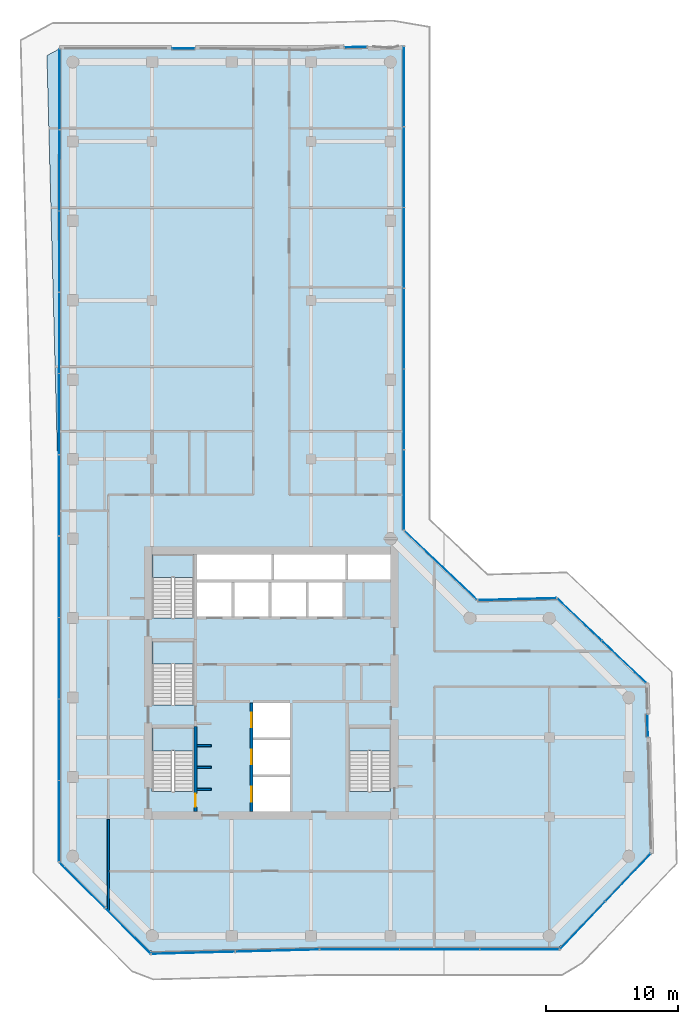
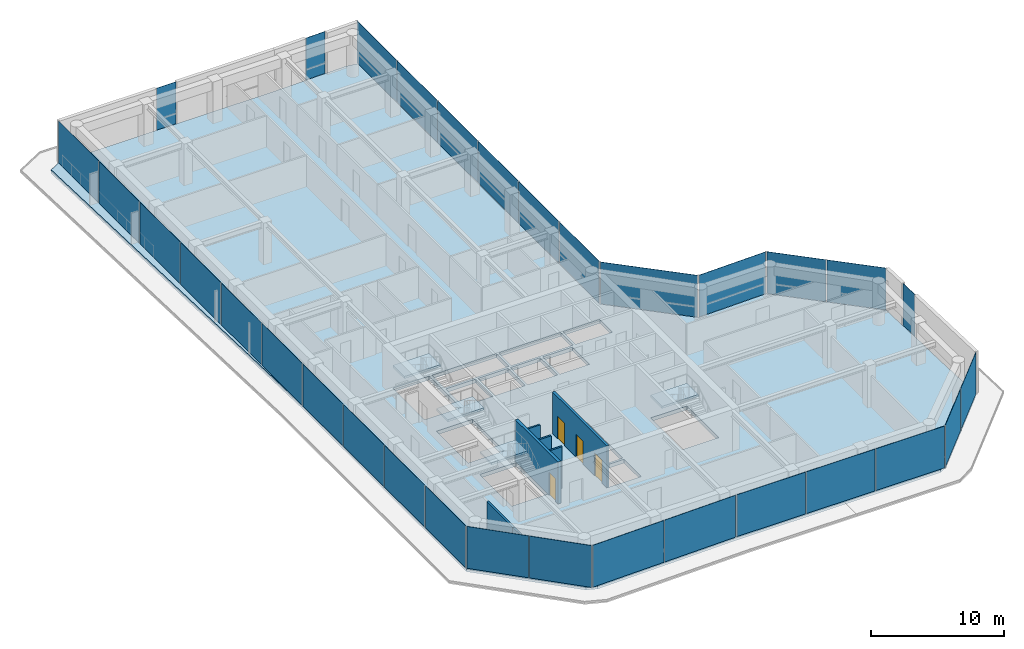
# One storey, part 15 of 20: 32 plates, 7 walls, 5 slabs, 4 doors, 4 openings, 17 elements without a shape of their own.
"""IFC4 building model written with IfcOpenShell, lengths in metres."""

from ifc_helpers import new_model, si_unit, direction, frame, frame_2d, origin, origin_2d, place, context, subcontext, project, spatial, polyline, rectangle, outline, extrude, material, layer, layer_set, type_object, element, fill, aggregate, save


model = new_model("IFC4")

# Units and contexts
model_context = context("Model", 3, precision=1e-05, world=origin(), true_north=direction((0.0, 1.0)))
body_context = subcontext(model_context, "Body", "Model", "MODEL_VIEW")
ifc_project = project(units=[si_unit("LENGTHUNIT", "METRE"), si_unit("AREAUNIT", "SQUARE_METRE"), si_unit("VOLUMEUNIT", "CUBIC_METRE"), si_unit("PLANEANGLEUNIT", "RADIAN"), si_unit("MASSUNIT", "GRAM", prefix="KILO")], contexts=[model_context])

# Site, building, storey
site_placement = place(None, origin())
site = spatial("IfcSite", under=ifc_project, at=site_placement, CompositionType="ELEMENT")
building_placement = place(site_placement, origin())
building = spatial("IfcBuilding", under=site, at=building_placement, Name="Welwitschia Terrace Campus", CompositionType="ELEMENT")
storey_placement = place(building_placement, frame((0.0, 0.0, 176.0)))
storey = spatial("IfcBuildingStorey", under=building, at=storey_placement, Name="L39", CompositionType="ELEMENT", Elevation=176.0)

# Curtain wall, plates
ifc_material_1 = material(Name="Bronze anodised aluminium", Category="aluminium")
ifc_layer_1 = layer(ifc_material_1, 0.1201171875)
ifc_layer_set_1 = layer_set([ifc_layer_1], Name="Bronze anodised aluminium")
curtain_wall_type = type_object("IfcCurtainWallType", Name="Curtain wall CW2 tower 6000", PredefinedType="NOTDEFINED", material=ifc_layer_set_1)
curtain_wall_1_placement = place(storey_placement, origin())
curtain_wall_1 = element("IfcCurtainWall", 1, at=curtain_wall_1_placement, inside=storey, type_object=curtain_wall_type, Name="CW L39.0.0", PredefinedType="NOTDEFINED")
ifc_material_2 = material(Name="Tinted bronze-grey glass", Category="glass")
ifc_layer_2 = layer(ifc_material_2, 0.028076171875)
ifc_layer_set_2 = layer_set([ifc_layer_2], Name="Tinted bronze-grey glass")
plate_type = type_object("IfcPlateType", Name="Glass panel 28 tinted", PredefinedType="CURTAIN_PANEL", material=ifc_layer_set_2)
plate_1_placement = place(storey_placement, frame((-1.030029296875, 23.104248046875, 0.0), z_axis=(0.0, 0.0, 1.0), x_axis=(0.0, -1.0, 0.0)))
plate_1 = element("IfcPlate", 2, at=plate_1_placement, type_object=plate_type, Name="Panel L39.0.0.0", PredefinedType="CURTAIN_PANEL", context=body_context, shape_type="SweptSolid", body=[
    extrude(rectangle(XDim=6.06591796875, YDim=0.028076171875, at=origin_2d()), origin(), (0.0, 0.0, 1.0), 3.85009765625),
])
plate_2_placement = place(storey_placement, frame((-1.030029296875, 16.96337890625, 0.0), z_axis=(0.0, 0.0, 1.0), x_axis=(0.0, -1.0, 0.0)))
plate_2 = element("IfcPlate", 3, at=plate_2_placement, type_object=plate_type, Name="Panel L39.0.0.1", PredefinedType="CURTAIN_PANEL", context=body_context, shape_type="SweptSolid", body=[
    extrude(rectangle(XDim=6.095947265625, YDim=0.028076171875, at=origin_2d()), origin(), (0.0, 0.0, 1.0), 3.85009765625),
])
plate_3_placement = place(storey_placement, frame((-1.030029296875, 10.807373046875, 0.0), z_axis=(0.0, 0.0, 1.0), x_axis=(0.0, -1.0, 0.0)))
plate_3 = element("IfcPlate", 4, at=plate_3_placement, type_object=plate_type, Name="Panel L39.0.0.2", PredefinedType="CURTAIN_PANEL", context=body_context, shape_type="SweptSolid", body=[
    extrude(rectangle(XDim=6.095947265625, YDim=0.028076171875, at=origin_2d()), origin(), (0.0, 0.0, 1.0), 3.85009765625),
])
plate_4_placement = place(storey_placement, frame((-1.030029296875, 4.666259765625, 0.0), z_axis=(0.0, 0.0, 1.0), x_axis=(0.0, -1.0, 0.0)))
plate_4 = element("IfcPlate", 5, at=plate_4_placement, type_object=plate_type, Name="Panel L39.0.0.3", PredefinedType="CURTAIN_PANEL", context=body_context, shape_type="SweptSolid", body=[
    extrude(rectangle(XDim=6.06591796875, YDim=0.028076171875, at=origin_2d()), origin(), (0.0, 0.0, 1.0), 3.85009765625),
])
aggregate(curtain_wall_1, [plate_1, plate_2, plate_3, plate_4])

curtain_wall_2_placement = place(storey_placement, origin())
curtain_wall_2 = element("IfcCurtainWall", 6, at=curtain_wall_2_placement, inside=storey, type_object=curtain_wall_type, Name="CW L39.1.0", PredefinedType="NOTDEFINED")
plate_5_placement = place(storey_placement, frame((0.714599609375, -0.17138671875, 0.0), z_axis=(0.0, 0.0, 1.0), x_axis=(0.707106781187, -0.707106781187, 0.0)))
plate_5 = element("IfcPlate", 7, at=plate_5_placement, type_object=plate_type, Name="Panel L39.1.0.0", PredefinedType="CURTAIN_PANEL", context=body_context, shape_type="SweptSolid", body=[
    extrude(rectangle(XDim=4.814697265625, YDim=0.028076171875, at=origin_2d()), origin(), (0.0, 0.0, 1.0), 3.85009765625),
])
plate_6_placement = place(storey_placement, frame((4.16162109375, -3.618408203125, 0.0), z_axis=(0.0, 0.0, 1.0), x_axis=(0.707106781187, -0.707106781187, 0.0)))
plate_6 = element("IfcPlate", 8, at=plate_6_placement, type_object=plate_type, Name="Panel L39.1.0.1", PredefinedType="CURTAIN_PANEL", context=body_context, shape_type="SweptSolid", body=[
    extrude(rectangle(XDim=4.814697265625, YDim=0.028076171875, at=origin_2d()), origin(), (0.0, 0.0, 1.0), 3.85009765625),
])
aggregate(curtain_wall_2, [plate_5, plate_6])

curtain_wall_3_placement = place(storey_placement, origin())
curtain_wall_3 = element("IfcCurtainWall", 9, at=curtain_wall_3_placement, inside=storey, type_object=curtain_wall_type, Name="CW L39.2.0", PredefinedType="NOTDEFINED")
plate_7_placement = place(storey_placement, frame((9.101318359375, -5.279296875, 0.0), z_axis=(0.0, 0.0, 1.0), x_axis=(0.999657324976, 0.026176948308, 0.0)))
plate_7 = element("IfcPlate", 10, at=plate_7_placement, type_object=plate_type, Name="Panel L39.2.0.0", PredefinedType="CURTAIN_PANEL", context=body_context, shape_type="SweptSolid", body=[
    extrude(rectangle(XDim=6.27197265625, YDim=0.028076171875, at=origin_2d()), origin(), (0.0, 0.0, 1.0), 3.85009765625),
])
plate_8_placement = place(storey_placement, frame((15.43115234375, -5.11376953125, 0.0), z_axis=(0.0, 0.0, 1.0), x_axis=(0.999657324976, 0.026176948308, 0.0)))
plate_8 = element("IfcPlate", 11, at=plate_8_placement, type_object=plate_type, Name="Panel L39.2.0.1", PredefinedType="CURTAIN_PANEL", context=body_context, shape_type="SweptSolid", body=[
    extrude(rectangle(XDim=6.27197265625, YDim=0.028076171875, at=origin_2d()), origin(), (0.0, 0.0, 1.0), 3.85009765625),
])
aggregate(curtain_wall_3, [plate_7, plate_8])

curtain_wall_4_placement = place(storey_placement, origin())
curtain_wall_4 = element("IfcCurtainWall", 12, at=curtain_wall_4_placement, inside=storey, type_object=curtain_wall_type, Name="CW L39.3.0", PredefinedType="NOTDEFINED")
plate_9_placement = place(storey_placement, frame((21.667236328125, -5.030029296875, 0.0), z_axis=(0.0, 0.0, 1.0), x_axis=(1.0, 0.0, 0.0)))
plate_9 = element("IfcPlate", 13, at=plate_9_placement, type_object=plate_type, Name="Panel L39.3.0.0", PredefinedType="CURTAIN_PANEL", context=body_context, shape_type="SweptSolid", body=[
    extrude(rectangle(XDim=5.9619140625, YDim=0.028076171875, at=origin_2d()), origin(), (0.0, 0.0, 1.0), 3.85009765625),
])
plate_10_placement = place(storey_placement, frame((27.7041015625, -5.030029296875, 0.0), z_axis=(0.0, 0.0, 1.0), x_axis=(1.0, 0.0, 0.0)))
plate_10 = element("IfcPlate", 14, at=plate_10_placement, type_object=plate_type, Name="Panel L39.3.0.1", PredefinedType="CURTAIN_PANEL", context=body_context, shape_type="SweptSolid", body=[
    extrude(rectangle(XDim=5.991943359375, YDim=0.028076171875, at=origin_2d()), origin(), (0.0, 0.0, 1.0), 3.85009765625),
])
plate_11_placement = place(storey_placement, frame((33.74072265625, -5.030029296875, 0.0), z_axis=(0.0, 0.0, 1.0), x_axis=(1.0, 0.0, 0.0)))
plate_11 = element("IfcPlate", 15, at=plate_11_placement, type_object=plate_type, Name="Panel L39.3.0.2", PredefinedType="CURTAIN_PANEL", context=body_context, shape_type="SweptSolid", body=[
    extrude(rectangle(XDim=5.9619140625, YDim=0.028076171875, at=origin_2d()), origin(), (0.0, 0.0, 1.0), 3.85009765625),
])
aggregate(curtain_wall_4, [plate_9, plate_10, plate_11])

curtain_wall_5_placement = place(storey_placement, origin())
curtain_wall_5 = element("IfcCurtainWall", 16, at=curtain_wall_5_placement, inside=storey, type_object=curtain_wall_type, Name="CW L39.4.0", PredefinedType="NOTDEFINED")
plate_12_placement = place(storey_placement, frame((38.514892578125, -3.203857421875, 0.0), z_axis=(0.0, 0.0, 1.0), x_axis=(0.688354575694, 0.725374371012, 0.0)))
plate_12 = element("IfcPlate", 17, at=plate_12_placement, type_object=plate_type, Name="Panel L39.4.0.0", PredefinedType="CURTAIN_PANEL", context=body_context, shape_type="SweptSolid", body=[
    extrude(rectangle(XDim=4.915283203125, YDim=0.028076171875, at=origin_2d()), origin(), (0.0, 0.0, 1.0), 3.85009765625),
])
plate_13_placement = place(storey_placement, frame((41.939697265625, 0.4052734375, 0.0), z_axis=(0.0, 0.0, 1.0), x_axis=(0.688354575694, 0.725374371012, 0.0)))
plate_13 = element("IfcPlate", 18, at=plate_13_placement, type_object=plate_type, Name="Panel L39.4.0.1", PredefinedType="CURTAIN_PANEL", context=body_context, shape_type="SweptSolid", body=[
    extrude(rectangle(XDim=4.915283203125, YDim=0.028076171875, at=origin_2d()), origin(), (0.0, 0.0, 1.0), 3.85009765625),
])
aggregate(curtain_wall_5, [plate_12, plate_13])

# Curtain wall, plate
curtain_wall_6_placement = place(storey_placement, origin())
curtain_wall_6 = element("IfcCurtainWall", 19, at=curtain_wall_6_placement, inside=storey, type_object=curtain_wall_type, Name="CW L39.5.S0", PredefinedType="NOTDEFINED")
plate_14_placement = place(storey_placement, frame((43.42041015625, 11.8681640625, 0.0), z_axis=(0.0, 0.0, 1.0), x_axis=(-0.026176948308, 0.999657324976, 0.0)))
plate_14 = element("IfcPlate", 20, at=plate_14_placement, type_object=plate_type, Name="Panel L39.5.S0.0", PredefinedType="CURTAIN_PANEL", context=body_context, shape_type="SweptSolid", body=[
    extrude(rectangle(XDim=1.679931640625, YDim=0.028076171875, at=origin_2d()), origin(), (0.0, 0.0, 1.0), 3.85009765625),
])
aggregate(curtain_wall_6, [plate_14])

# Curtain wall, plates
curtain_wall_7_placement = place(storey_placement, origin())
curtain_wall_7 = element("IfcCurtainWall", 21, at=curtain_wall_7_placement, inside=storey, type_object=curtain_wall_type, Name="CW L39.6.0", PredefinedType="NOTDEFINED")
plate_15_placement = place(storey_placement, frame((41.6318359375, 16.69775390625, 0.0), z_axis=(0.0, 0.0, 1.0), x_axis=(-0.725374371012, 0.688354575694, 0.0)))
plate_15 = element("IfcPlate", 22, at=plate_15_placement, type_object=plate_type, Name="Panel L39.6.0.0", PredefinedType="CURTAIN_PANEL", context=body_context, shape_type="SweptSolid", body=[
    extrude(rectangle(XDim=4.579345703125, YDim=0.028076171875, at=origin_2d()), origin(), (0.0, 0.0, 1.0), 3.85009765625),
])
plate_16_placement = place(storey_placement, frame((38.2666015625, 19.89111328125, 0.0), z_axis=(0.0, 0.0, 1.0), x_axis=(-0.725374371012, 0.688354575694, 0.0)))
plate_16 = element("IfcPlate", 23, at=plate_16_placement, type_object=plate_type, Name="Panel L39.6.0.1", PredefinedType="CURTAIN_PANEL", context=body_context, shape_type="SweptSolid", body=[
    extrude(rectangle(XDim=4.579345703125, YDim=0.028076171875, at=origin_2d()), origin(), (0.0, 0.0, 1.0), 3.85009765625),
])
aggregate(curtain_wall_7, [plate_15, plate_16])

# Curtain wall, plate
curtain_wall_8_placement = place(storey_placement, origin())
curtain_wall_8 = element("IfcCurtainWall", 24, at=curtain_wall_8_placement, inside=storey, type_object=curtain_wall_type, Name="CW L39.7.0", PredefinedType="NOTDEFINED")
plate_17_placement = place(storey_placement, frame((33.563232421875, 21.43017578125, 0.0), z_axis=(0.0, 0.0, 1.0), x_axis=(-0.999657324976, -0.026176948308, 0.0)))
plate_17 = element("IfcPlate", 25, at=plate_17_placement, type_object=plate_type, Name="Panel L39.7.0.0", PredefinedType="CURTAIN_PANEL", context=body_context, shape_type="SweptSolid", body=[
    extrude(rectangle(XDim=5.8798828125, YDim=0.028076171875, at=origin_2d()), origin(), (0.0, 0.0, 1.0), 3.85009765625),
])
aggregate(curtain_wall_8, [plate_17])

curtain_wall_9_placement = place(storey_placement, origin())
curtain_wall_9 = element("IfcCurtainWall", 26, at=curtain_wall_9_placement, inside=storey, type_object=curtain_wall_type, Name="CW L39.8.0", PredefinedType="NOTDEFINED")
plate_18_placement = place(storey_placement, frame((27.797119140625, 23.9775390625, 0.0), z_axis=(0.0, 0.0, 1.0), x_axis=(-0.725374371012, 0.688354575694, 0.0)))
plate_18 = element("IfcPlate", 27, at=plate_18_placement, type_object=plate_type, Name="Panel L39.8.0.0", PredefinedType="CURTAIN_PANEL", context=body_context, shape_type="SweptSolid", body=[
    extrude(rectangle(XDim=7.509521484375, YDim=0.028076171875, at=origin_2d()), origin(), (0.0, 0.0, 1.0), 3.85009765625),
])
aggregate(curtain_wall_9, [plate_18])

# Curtain wall, plates
curtain_wall_10_placement = place(storey_placement, origin())
curtain_wall_10 = element("IfcCurtainWall", 28, at=curtain_wall_10_placement, inside=storey, type_object=curtain_wall_type, Name="CW L39.9.0", PredefinedType="NOTDEFINED")
plate_19_placement = place(storey_placement, frame((25.030029296875, 29.669921875, 0.0), z_axis=(0.0, 0.0, 1.0), x_axis=(0.0, 1.0, 0.0)))
plate_19 = element("IfcPlate", 29, at=plate_19_placement, type_object=plate_type, Name="Panel L39.9.0.0", PredefinedType="CURTAIN_PANEL", context=body_context, shape_type="SweptSolid", body=[
    extrude(rectangle(XDim=6.012939453125, YDim=0.028076171875, at=origin_2d()), origin(), (0.0, 0.0, 1.0), 3.85009765625),
])
plate_20_placement = place(storey_placement, frame((25.030029296875, 35.7578125, 0.0), z_axis=(0.0, 0.0, 1.0), x_axis=(0.0, 1.0, 0.0)))
plate_20 = element("IfcPlate", 30, at=plate_20_placement, type_object=plate_type, Name="Panel L39.9.0.1", PredefinedType="CURTAIN_PANEL", context=body_context, shape_type="SweptSolid", body=[
    extrude(rectangle(XDim=6.04296875, YDim=0.028076171875, at=origin_2d()), origin(), (0.0, 0.0, 1.0), 3.85009765625),
])
plate_21_placement = place(storey_placement, frame((25.030029296875, 41.86083984375, 0.0), z_axis=(0.0, 0.0, 1.0), x_axis=(0.0, 1.0, 0.0)))
plate_21 = element("IfcPlate", 31, at=plate_21_placement, type_object=plate_type, Name="Panel L39.9.0.2", PredefinedType="CURTAIN_PANEL", context=body_context, shape_type="SweptSolid", body=[
    extrude(rectangle(XDim=6.04296875, YDim=0.028076171875, at=origin_2d()), origin(), (0.0, 0.0, 1.0), 3.85009765625),
])
plate_22_placement = place(storey_placement, frame((25.030029296875, 47.963623046875, 0.0), z_axis=(0.0, 0.0, 1.0), x_axis=(0.0, 1.0, 0.0)))
plate_22 = element("IfcPlate", 32, at=plate_22_placement, type_object=plate_type, Name="Panel L39.9.0.3", PredefinedType="CURTAIN_PANEL", context=body_context, shape_type="SweptSolid", body=[
    extrude(rectangle(XDim=6.04296875, YDim=0.028076171875, at=origin_2d()), origin(), (0.0, 0.0, 1.0), 3.85009765625),
])
plate_23_placement = place(storey_placement, frame((25.030029296875, 54.066650390625, 0.0), z_axis=(0.0, 0.0, 1.0), x_axis=(0.0, 1.0, 0.0)))
plate_23 = element("IfcPlate", 33, at=plate_23_placement, type_object=plate_type, Name="Panel L39.9.0.4", PredefinedType="CURTAIN_PANEL", context=body_context, shape_type="SweptSolid", body=[
    extrude(rectangle(XDim=6.04296875, YDim=0.028076171875, at=origin_2d()), origin(), (0.0, 0.0, 1.0), 3.85009765625),
])
plate_24_placement = place(storey_placement, frame((25.030029296875, 60.154541015625, 0.0), z_axis=(0.0, 0.0, 1.0), x_axis=(0.0, 1.0, 0.0)))
plate_24 = element("IfcPlate", 34, at=plate_24_placement, type_object=plate_type, Name="Panel L39.9.0.5", PredefinedType="CURTAIN_PANEL", context=body_context, shape_type="SweptSolid", body=[
    extrude(rectangle(XDim=6.012939453125, YDim=0.028076171875, at=origin_2d()), origin(), (0.0, 0.0, 1.0), 3.85009765625),
])
aggregate(curtain_wall_10, [plate_19, plate_20, plate_21, plate_22, plate_23, plate_24])

# Curtain wall, plate
curtain_wall_11_placement = place(storey_placement, origin())
curtain_wall_11 = element("IfcCurtainWall", 35, at=curtain_wall_11_placement, inside=storey, type_object=curtain_wall_type, Name="CW L39.10.S0", PredefinedType="NOTDEFINED")
plate_25_placement = place(storey_placement, frame((21.382568359375, 63.12548828125, 0.0), z_axis=(0.0, 0.0, 1.0), x_axis=(-0.999657324976, -0.026176948308, 0.0)))
plate_25 = element("IfcPlate", 36, at=plate_25_placement, type_object=plate_type, Name="Panel L39.10.S0.0", PredefinedType="CURTAIN_PANEL", context=body_context, shape_type="SweptSolid", body=[
    extrude(rectangle(XDim=1.679931640625, YDim=0.028076171875, at=origin_2d()), origin(), (0.0, 0.0, 1.0), 3.85009765625),
])
aggregate(curtain_wall_11, [plate_25])

curtain_wall_12_placement = place(storey_placement, origin())
curtain_wall_12 = element("IfcCurtainWall", 37, at=curtain_wall_12_placement, inside=storey, type_object=curtain_wall_type, Name="CW L39.11.S0", PredefinedType="NOTDEFINED")
plate_26_placement = place(storey_placement, frame((8.36376953125, 63.030029296875, 0.0), z_axis=(0.0, 0.0, 1.0), x_axis=(-1.0, 0.0, 0.0)))
plate_26 = element("IfcPlate", 38, at=plate_26_placement, type_object=plate_type, Name="Panel L39.11.S0.0", PredefinedType="CURTAIN_PANEL", context=body_context, shape_type="SweptSolid", body=[
    extrude(rectangle(XDim=1.679931640625, YDim=0.028076171875, at=origin_2d()), origin(), (0.0, 0.0, 1.0), 3.85009765625),
])
aggregate(curtain_wall_12, [plate_26])

# Curtain wall, plates
curtain_wall_13_placement = place(storey_placement, origin())
curtain_wall_13 = element("IfcCurtainWall", 39, at=curtain_wall_13_placement, inside=storey, type_object=curtain_wall_type, Name="CW L39.12.0", PredefinedType="NOTDEFINED")
plate_27_placement = place(storey_placement, frame((-1.009521484375, 59.945556640625, 0.0), z_axis=(0.0, 0.0, 1.0), x_axis=(-0.000607788744, -0.999999815296, 0.0)))
plate_27 = element("IfcPlate", 40, at=plate_27_placement, type_object=plate_type, Name="Panel L39.12.0.0", PredefinedType="CURTAIN_PANEL", context=body_context, shape_type="SweptSolid", body=[
    extrude(rectangle(XDim=6.048828125, YDim=0.028076171875, at=origin_2d()), origin(), (0.0, 0.0, 1.0), 3.85009765625),
])
plate_28_placement = place(storey_placement, frame((-1.01318359375, 53.82177734375, 0.0), z_axis=(0.0, 0.0, 1.0), x_axis=(-0.000607788744, -0.999999815296, 0.0)))
plate_28 = element("IfcPlate", 41, at=plate_28_placement, type_object=plate_type, Name="Panel L39.12.0.1", PredefinedType="CURTAIN_PANEL", context=body_context, shape_type="SweptSolid", body=[
    extrude(rectangle(XDim=6.078857421875, YDim=0.028076171875, at=origin_2d()), origin(), (0.0, 0.0, 1.0), 3.85009765625),
])
plate_29_placement = place(storey_placement, frame((-1.016845703125, 47.68310546875, 0.0), z_axis=(0.0, 0.0, 1.0), x_axis=(-0.000607788744, -0.999999815296, 0.0)))
plate_29 = element("IfcPlate", 42, at=plate_29_placement, type_object=plate_type, Name="Panel L39.12.0.2", PredefinedType="CURTAIN_PANEL", context=body_context, shape_type="SweptSolid", body=[
    extrude(rectangle(XDim=6.078857421875, YDim=0.028076171875, at=origin_2d()), origin(), (0.0, 0.0, 1.0), 3.85009765625),
])
plate_30_placement = place(storey_placement, frame((-1.020751953125, 41.544189453125, 0.0), z_axis=(0.0, 0.0, 1.0), x_axis=(-0.000607788744, -0.999999815296, 0.0)))
plate_30 = element("IfcPlate", 43, at=plate_30_placement, type_object=plate_type, Name="Panel L39.12.0.3", PredefinedType="CURTAIN_PANEL", context=body_context, shape_type="SweptSolid", body=[
    extrude(rectangle(XDim=6.078857421875, YDim=0.028076171875, at=origin_2d()), origin(), (0.0, 0.0, 1.0), 3.85009765625),
])
plate_31_placement = place(storey_placement, frame((-1.0244140625, 35.405517578125, 0.0), z_axis=(0.0, 0.0, 1.0), x_axis=(-0.000607788744, -0.999999815296, 0.0)))
plate_31 = element("IfcPlate", 44, at=plate_31_placement, type_object=plate_type, Name="Panel L39.12.0.4", PredefinedType="CURTAIN_PANEL", context=body_context, shape_type="SweptSolid", body=[
    extrude(rectangle(XDim=6.078857421875, YDim=0.028076171875, at=origin_2d()), origin(), (0.0, 0.0, 1.0), 3.85009765625),
])
plate_32_placement = place(storey_placement, frame((-1.028076171875, 29.28173828125, 0.0), z_axis=(0.0, 0.0, 1.0), x_axis=(-0.000607788744, -0.999999815296, 0.0)))
plate_32 = element("IfcPlate", 45, at=plate_32_placement, type_object=plate_type, Name="Panel L39.12.0.5", PredefinedType="CURTAIN_PANEL", context=body_context, shape_type="SweptSolid", body=[
    extrude(rectangle(XDim=6.048828125, YDim=0.028076171875, at=origin_2d()), origin(), (0.0, 0.0, 1.0), 3.85009765625),
])
aggregate(curtain_wall_13, [plate_27, plate_28, plate_29, plate_30, plate_31, plate_32])

# Stair, slab
ifc_material_3 = material(Name="Concrete C40/50", Category="concrete")
stair_type = type_object("IfcStairType", Name="Stair 24R 175 W1500", PredefinedType="HALF_TURN_STAIR", material=ifc_material_3)
stair_1_placement = place(storey_placement, origin())
stair_1 = element("IfcStair", 46, at=stair_1_placement, inside=storey, type_object=stair_type, Name="L39 Exit stair S1", PredefinedType="HALF_TURN_STAIR")
ifc_material_4 = material(Name="Concrete C40/50", Category="concrete")
ifc_layer_3 = layer(ifc_material_4, 0.199951171875)
ifc_layer_set_3 = layer_set([ifc_layer_3], Name="Concrete C40/50")
slab_type_1 = type_object("IfcSlabType", Name="Stair landing RC", PredefinedType="LANDING", material=ifc_layer_set_3)
slab_1_placement = place(storey_placement, frame((0.0, 0.0, 1.89990234375)))
slab_1 = element("IfcSlab", 47, at=slab_1_placement, type_object=slab_type_1, Name="S1 landing 1", PredefinedType="LANDING", context=body_context, shape_type="SweptSolid", body=[
    extrude(outline(polyline([(9.14990234375, 9.97998046875), (9.14990234375, 11.699951171875), (6.0, 11.699951171875), (6.0, 9.97998046875), (9.14990234375, 9.97998046875)])), origin(), (0.0, 0.0, 1.0), 0.2001953125),
])
aggregate(stair_1, [slab_1])

stair_2_placement = place(storey_placement, origin())
stair_2 = element("IfcStair", 48, at=stair_2_placement, inside=storey, type_object=stair_type, Name="L39 Exit stair S3", PredefinedType="HALF_TURN_STAIR")
slab_2_placement = place(storey_placement, frame((0.0, 0.0, 1.89990234375)))
slab_2 = element("IfcSlab", 49, at=slab_2_placement, type_object=slab_type_1, Name="S3 landing 1", PredefinedType="LANDING", context=body_context, shape_type="SweptSolid", body=[
    extrude(outline(polyline([(9.14990234375, 16.530029296875), (9.14990234375, 18.25), (6.0, 18.25), (6.0, 16.530029296875), (9.14990234375, 16.530029296875)])), origin(), (0.0, 0.0, 1.0), 0.2001953125),
])
aggregate(stair_2, [slab_2])

stair_3_placement = place(storey_placement, origin())
stair_3 = element("IfcStair", 50, at=stair_3_placement, inside=storey, type_object=stair_type, Name="L39 Exit stair S4", PredefinedType="HALF_TURN_STAIR")
slab_3_placement = place(storey_placement, frame((0.0, 0.0, 1.89990234375)))
slab_3 = element("IfcSlab", 51, at=slab_3_placement, type_object=slab_type_1, Name="S4 landing 1", PredefinedType="LANDING", context=body_context, shape_type="SweptSolid", body=[
    extrude(outline(polyline([(9.14990234375, 23.080078125), (9.14990234375, 24.800048828125), (6.0, 24.800048828125), (6.0, 23.080078125), (9.14990234375, 23.080078125)])), origin(), (0.0, 0.0, 1.0), 0.2001953125),
])
aggregate(stair_3, [slab_3])

stair_4_placement = place(storey_placement, origin())
stair_4 = element("IfcStair", 52, at=stair_4_placement, inside=storey, type_object=stair_type, Name="L39 Exit stair S2", PredefinedType="HALF_TURN_STAIR")
slab_4_placement = place(storey_placement, frame((0.0, 0.0, 1.89990234375)))
slab_4 = element("IfcSlab", 53, at=slab_4_placement, type_object=slab_type_1, Name="S2 landing 1", PredefinedType="LANDING", context=body_context, shape_type="SweptSolid", body=[
    extrude(outline(polyline([(24.0, 9.97998046875), (24.0, 11.699951171875), (20.85009765625, 11.699951171875), (20.85009765625, 9.97998046875), (24.0, 9.97998046875)])), origin(), (0.0, 0.0, 1.0), 0.2001953125),
])
aggregate(stair_4, [slab_4])

# Slab
ifc_material_5 = material(Name="Concrete C40/50", Category="concrete")
ifc_layer_4 = layer(ifc_material_5, 0.35009765625)
ifc_layer_set_4 = layer_set([ifc_layer_4], Name="Concrete C40/50")
slab_type_2 = type_object("IfcSlabType", Name="Suspended floor slab 350", PredefinedType="FLOOR", material=ifc_layer_set_4)
slab_5_placement = place(storey_placement, frame((0.0, 0.0, -0.35009765625)))
element("IfcSlab", 54, at=slab_5_placement, inside=storey, type_object=slab_type_2, Name="Floor slab L39", PredefinedType="FLOOR", context=body_context, shape_type="SweptSolid", body=[
    extrude(outline(polyline([(-1.0, 63.0), (17.735595703125, 63.0), (24.040771484375, 63.1650390625), (25.0, 63.0), (25.0, 26.590576171875), (30.552734375, 21.3212890625), (36.550537109375, 21.478271484375), (43.306640625, 15.067138671875), (43.642333984375, 2.2431640625), (37.231201171875, -4.5126953125), (36.414306640625, -5.0), (18.625732421875, -5.0), (6.413330078125, -5.31982421875), (5.585693359375, -5.0), (-1.0, 1.585693359375), (-1.0, 26.19775390625), (-1.9501953125, 62.484619140625), (-1.0, 63.0)]), holes=[polyline([(13.60009765625, 8.0), (13.60009765625, 5.39990234375), (16.39990234375, 5.39990234375), (16.39990234375, 8.0), (13.60009765625, 8.0)]), polyline([(9.14990234375, 11.699951171875), (6.0, 11.699951171875), (6.0, 6.902099609375), (9.14990234375, 6.902099609375), (9.14990234375, 11.699951171875)]), polyline([(9.14990234375, 18.25), (6.0, 18.25), (6.0, 13.451904296875), (9.14990234375, 13.451904296875), (9.14990234375, 18.25)]), polyline([(12.0, 22.699951171875), (9.39990234375, 22.699951171875), (9.39990234375, 20.10009765625), (12.0, 20.10009765625), (12.0, 22.699951171875)]), polyline([(14.800048828125, 22.699951171875), (12.199951171875, 22.699951171875), (12.199951171875, 20.10009765625), (14.800048828125, 20.10009765625), (14.800048828125, 22.699951171875)]), polyline([(9.14990234375, 24.800048828125), (6.0, 24.800048828125), (6.0, 20.001953125), (9.14990234375, 20.001953125), (9.14990234375, 24.800048828125)]), polyline([(15.0, 24.800048828125), (9.39990234375, 24.800048828125), (9.39990234375, 22.89990234375), (15.0, 22.89990234375), (15.0, 24.800048828125)]), polyline([(20.85009765625, 11.699951171875), (20.85009765625, 6.902099609375), (24.0, 6.902099609375), (24.0, 11.699951171875), (20.85009765625, 11.699951171875)]), polyline([(16.39990234375, 10.800048828125), (13.60009765625, 10.800048828125), (13.60009765625, 8.199951171875), (16.39990234375, 8.199951171875), (16.39990234375, 10.800048828125)]), polyline([(16.39990234375, 13.60009765625), (13.60009765625, 13.60009765625), (13.60009765625, 11.0), (16.39990234375, 11.0), (16.39990234375, 13.60009765625)]), polyline([(17.60009765625, 22.699951171875), (15.0, 22.699951171875), (15.0, 20.10009765625), (17.60009765625, 20.10009765625), (17.60009765625, 22.699951171875)]), polyline([(20.39990234375, 22.699951171875), (17.800048828125, 22.699951171875), (17.800048828125, 20.10009765625), (20.39990234375, 20.10009765625), (20.39990234375, 22.699951171875)]), polyline([(20.60009765625, 24.800048828125), (15.199951171875, 24.800048828125), (15.199951171875, 22.89990234375), (20.60009765625, 22.89990234375), (20.60009765625, 24.800048828125)]), polyline([(24.0, 24.800048828125), (20.800048828125, 24.800048828125), (20.800048828125, 22.89990234375), (24.0, 22.89990234375), (24.0, 24.800048828125)])]), origin(), (0.0, 0.0, 1.0), 0.35009765625),
])

# Walls
ifc_material_6 = material(Name="Concrete C50/60", Category="concrete")
ifc_layer_5 = layer(ifc_material_6, 0.14990234375)
ifc_layer_set_5 = layer_set([ifc_layer_5], Name="Concrete C50/60")
wall_type_1 = type_object("IfcWallType", Name="Core wall 150 Concrete C50/60", PredefinedType="SHEAR", material=ifc_layer_set_5)
for number, where, z_axis, x_axis, name in (
    (55, (9.39990234375, 7.074951171875, 0.0), (0.0, 0.0, 1.0), (1.0, 0.0, 0.0), "Core wall"),
    (56, (9.39990234375, 8.72509765625, 0.0), (0.0, 0.0, 1.0), (1.0, 0.0, 0.0), "Core wall"),
    (57, (9.39990234375, 10.375, 0.0), (0.0, 0.0, 1.0), (1.0, 0.0, 0.0), "Core wall"),
):
    element("IfcWall", number, at=place(storey_placement, frame(where, z_axis=z_axis, x_axis=x_axis)), inside=storey, type_object=wall_type_1, Name=name, PredefinedType="SHEAR", context=body_context, shape_type="SweptSolid", body=[
        extrude(rectangle(XDim=1.050048828125, YDim=0.14990234375, at=frame_2d((0.52490234375, 0.0))), origin(), (0.0, 0.0, 1.0), 3.85009765625),
    ])

# Wall, openings, doors
ifc_material_7 = material(Name="Concrete C50/60", Category="concrete")
ifc_layer_6 = layer(ifc_material_7, 0.199951171875)
ifc_layer_set_6 = layer_set([ifc_layer_6], Name="Concrete C50/60")
wall_type_2 = type_object("IfcWallType", Name="Core wall 200 Concrete C50/60", PredefinedType="SHEAR", material=ifc_layer_set_6)
wall_1_placement = place(storey_placement, frame((13.5, 5.39990234375, 0.0), z_axis=(0.0, 0.0, 1.0), x_axis=(0.0, 1.0, 0.0)))
wall_1 = element("IfcWall", 58, at=wall_1_placement, inside=storey, type_object=wall_type_2, Name="Core wall", PredefinedType="SHEAR", context=body_context, shape_type="SweptSolid", body=[
    extrude(rectangle(XDim=8.2001953125, YDim=0.199951171875, at=frame_2d((4.10009765625, 0.0))), origin(), (0.0, 0.0, 1.0), 3.85009765625),
])
opening_1_placement = place(wall_1_placement, frame((0.75, 0.0, 0.0)))
opening_1 = element("IfcOpeningElement", 59, at=opening_1_placement, cuts=wall_1, Name="Opening LD", PredefinedType="OPENING", context=body_context, shape_type="SweptSolid", body=[
    extrude(rectangle(XDim=1.10009765625, YDim=2.10009765625, at=frame_2d((0.550048828125, 1.050048828125))), frame((0.0, 0.10986328125, 0.0), z_axis=(0.0, -1.0, 0.0), x_axis=(1.0, 0.0, 0.0)), (0.0, 0.0, 1.0), 0.219970703125),
])
opening_2_placement = place(wall_1_placement, frame((3.550048828125, 0.0, 0.0)))
opening_2 = element("IfcOpeningElement", 60, at=opening_2_placement, cuts=wall_1, Name="Opening LD", PredefinedType="OPENING", context=body_context, shape_type="SweptSolid", body=[
    extrude(rectangle(XDim=1.10009765625, YDim=2.10009765625, at=frame_2d((0.550048828125, 1.050048828125))), frame((0.0, 0.10986328125, 0.0), z_axis=(0.0, -1.0, 0.0), x_axis=(1.0, 0.0, 0.0)), (0.0, 0.0, 1.0), 0.219970703125),
])
opening_3_placement = place(wall_1_placement, frame((6.35009765625, 0.0, 0.0)))
opening_3 = element("IfcOpeningElement", 61, at=opening_3_placement, cuts=wall_1, Name="Opening LD", PredefinedType="OPENING", context=body_context, shape_type="SweptSolid", body=[
    extrude(rectangle(XDim=1.10009765625, YDim=2.10009765625, at=frame_2d((0.550048828125, 1.050048828125))), frame((0.0, 0.10986328125, 0.0), z_axis=(0.0, -1.0, 0.0), x_axis=(1.0, 0.0, 0.0)), (0.0, 0.0, 1.0), 0.219970703125),
])
ifc_material_8 = material(Name="Stainless steel 304", Category="steel")
door_type_1 = type_object("IfcDoorType", Name="Lift landing door", OperationType="DOUBLE_DOOR_SLIDING", PredefinedType="DOOR", material=ifc_material_8)
door_1_placement = place(opening_1_placement, origin())
door_1 = element("IfcDoor", 62, at=door_1_placement, inside=storey, type_object=door_type_1, Name="Landing door FF1", OperationType="DOUBLE_DOOR_SLIDING", OverallHeight=2.10009765625, OverallWidth=1.10009765625, PredefinedType="DOOR", context=body_context, shape_type="SweptSolid", body=[
    extrude(rectangle(XDim=1.10009765625, YDim=2.10009765625, at=frame_2d((0.550048828125, 1.050048828125))), frame((0.0, 0.02490234375, 0.0), z_axis=(0.0, -1.0, 0.0), x_axis=(1.0, 0.0, 0.0)), (0.0, 0.0, 1.0), 0.050048828125),
])
fill(opening_1, door_1)
door_2_placement = place(opening_2_placement, origin())
door_2 = element("IfcDoor", 63, at=door_2_placement, inside=storey, type_object=door_type_1, Name="Landing door FF2", OperationType="DOUBLE_DOOR_SLIDING", OverallHeight=2.10009765625, OverallWidth=1.10009765625, PredefinedType="DOOR", context=body_context, shape_type="SweptSolid", body=[
    extrude(rectangle(XDim=1.10009765625, YDim=2.10009765625, at=frame_2d((0.550048828125, 1.050048828125))), frame((0.0, 0.02490234375, 0.0), z_axis=(0.0, -1.0, 0.0), x_axis=(1.0, 0.0, 0.0)), (0.0, 0.0, 1.0), 0.050048828125),
])
fill(opening_2, door_2)
door_3_placement = place(opening_3_placement, origin())
door_3 = element("IfcDoor", 64, at=door_3_placement, inside=storey, type_object=door_type_1, Name="Landing door SV1", OperationType="DOUBLE_DOOR_SLIDING", OverallHeight=2.10009765625, OverallWidth=1.10009765625, PredefinedType="DOOR", context=body_context, shape_type="SweptSolid", body=[
    extrude(rectangle(XDim=1.10009765625, YDim=2.10009765625, at=frame_2d((0.550048828125, 1.050048828125))), frame((0.0, 0.02490234375, 0.0), z_axis=(0.0, -1.0, 0.0), x_axis=(1.0, 0.0, 0.0)), (0.0, 0.0, 1.0), 0.050048828125),
])
fill(opening_3, door_3)

# Wall, opening, door
ifc_material_9 = material(Name="Concrete C50/60", Category="concrete")
ifc_layer_7 = layer(ifc_material_9, 0.25)
ifc_layer_set_7 = layer_set([ifc_layer_7], Name="Concrete C50/60")
wall_type_3 = type_object("IfcWallType", Name="Core wall 250 Concrete C50/60", PredefinedType="SHEAR", material=ifc_layer_set_7)
wall_2_placement = place(storey_placement, frame((9.27490234375, 11.824951171875, 0.0), z_axis=(0.0, 0.0, 1.0), x_axis=(0.0, -1.0, 0.0)))
wall_2 = element("IfcWall", 65, at=wall_2_placement, inside=storey, type_object=wall_type_3, Name="Core wall", PredefinedType="SHEAR", context=body_context, shape_type="SweptSolid", body=[
    extrude(rectangle(XDim=6.425048828125, YDim=0.25, at=frame_2d((3.21240234375, 0.0))), origin(), (0.0, 0.0, 1.0), 3.85009765625),
])
opening_4_placement = place(wall_2_placement, frame((5.074951171875, 0.0, 0.0)))
opening_4 = element("IfcOpeningElement", 66, at=opening_4_placement, cuts=wall_2, Name="Opening DS10", PredefinedType="OPENING", context=body_context, shape_type="SweptSolid", body=[
    extrude(rectangle(XDim=1.0, YDim=2.10009765625, at=frame_2d((0.5, 1.050048828125))), frame((0.0, 0.135009765625, 0.0), z_axis=(0.0, -1.0, 0.0), x_axis=(1.0, 0.0, 0.0)), (0.0, 0.0, 1.0), 0.27001953125),
])
ifc_material_10 = material(Name="Steel S275", Category="steel")
door_type_2 = type_object("IfcDoorType", Name="Core door DS10", OperationType="SINGLE_SWING_LEFT", PredefinedType="DOOR", material=ifc_material_10)
door_4_placement = place(opening_4_placement, origin())
door_4 = element("IfcDoor", 67, at=door_4_placement, inside=storey, type_object=door_type_2, Name="Door S1-FL", OperationType="SINGLE_SWING_RIGHT", OverallHeight=2.10009765625, OverallWidth=1.0, PredefinedType="DOOR", context=body_context, shape_type="SweptSolid", body=[
    extrude(rectangle(XDim=1.0, YDim=2.10009765625, at=frame_2d((0.5, 1.050048828125))), frame((0.0, 0.02490234375, 0.0), z_axis=(0.0, -1.0, 0.0), x_axis=(1.0, 0.0, 0.0)), (0.0, 0.0, 1.0), 0.050048828125),
])
fill(opening_4, door_4)

# Walls
ifc_material_11 = material(Name="Gypsum board on steel studs", Category="steel")
ifc_layer_8 = layer(ifc_material_11, 0.14990234375)
ifc_layer_set_8 = layer_set([ifc_layer_8], Name="Gypsum board on steel studs")
wall_type_4 = type_object("IfcWallType", Name="Corridor partition 150 EI 30", PredefinedType="PARTITIONING", material=ifc_layer_set_8)
wall_3_placement = place(storey_placement, frame((2.699951171875, -2.090087890625, 0.0), z_axis=(0.0, 0.0, 1.0), x_axis=(0.0, 1.0, 0.0)))
element("IfcWall", 68, at=wall_3_placement, inside=storey, type_object=wall_type_4, Name="Partition", PredefinedType="PARTITIONING", context=body_context, shape_type="SweptSolid", body=[
    extrude(rectangle(XDim=2.989990234375, YDim=0.14990234375, at=frame_2d((1.4951171875, 0.0))), origin(), (0.0, 0.0, 1.0), 2.8798828125),
])
wall_4_placement = place(storey_placement, frame((2.699951171875, 0.89990234375, 0.0), z_axis=(0.0, 0.0, 1.0), x_axis=(0.0, 1.0, 0.0)))
element("IfcWall", 69, at=wall_4_placement, inside=storey, type_object=wall_type_4, Name="Partition", PredefinedType="PARTITIONING", context=body_context, shape_type="SweptSolid", body=[
    extrude(rectangle(XDim=3.900146484375, YDim=0.14990234375, at=frame_2d((1.9501953125, 0.0))), origin(), (0.0, 0.0, 1.0), 2.8798828125),
])

save(model, "model.ifc")
